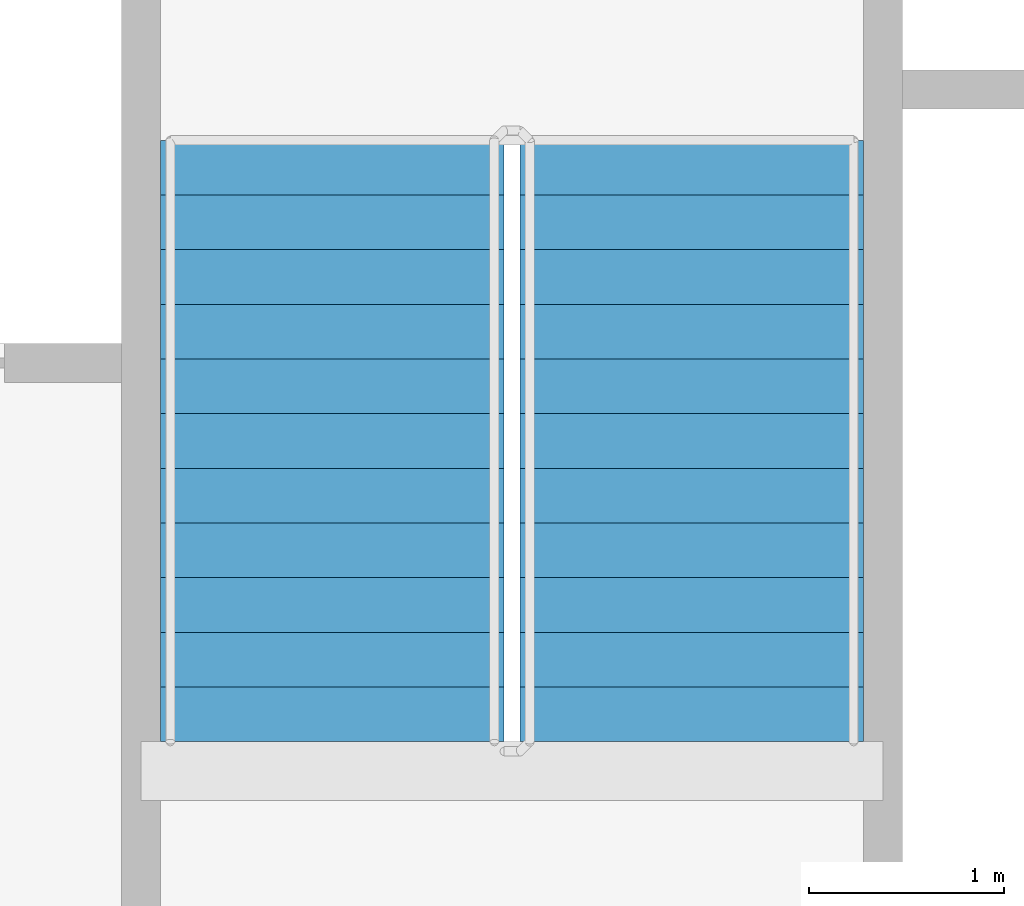
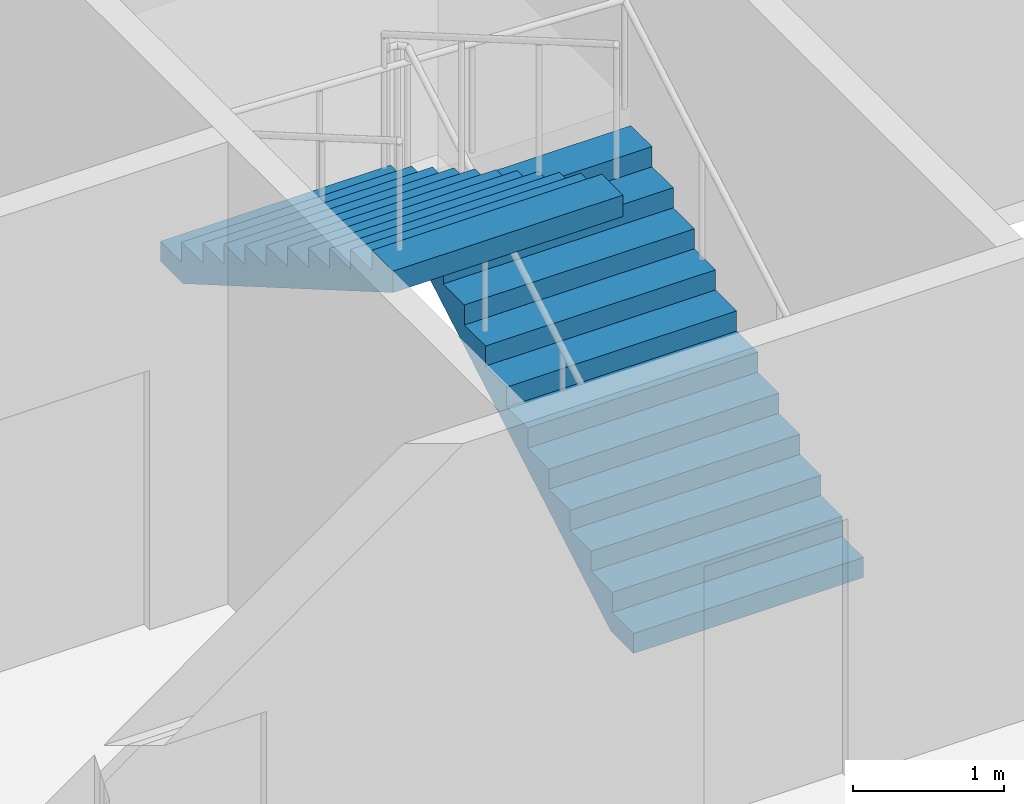
# One storey, part 10 of 15: 2 stair flights, 1 element without a shape of its own.
"""IFC4 building model written with IfcOpenShell, lengths in metres."""

from ifc_helpers import new_model, si_unit, direction, frame, origin, place, context, subcontext, project, spatial, faceted_brep, material, type_object, element, aggregate, save


model = new_model("IFC4")

# Units and contexts
model_context = context("Model", 3, precision=1e-05, world=origin(), true_north=direction((0.0, 1.0)))
body_context = subcontext(model_context, "Body", "Model", "MODEL_VIEW")
ifc_project = project(units=[si_unit("LENGTHUNIT", "METRE"), si_unit("AREAUNIT", "SQUARE_METRE"), si_unit("VOLUMEUNIT", "CUBIC_METRE"), si_unit("PLANEANGLEUNIT", "RADIAN"), si_unit("MASSUNIT", "GRAM", prefix="KILO")], contexts=[model_context])

# Site, building, storey
site_placement = place(None, origin())
site = spatial("IfcSite", under=ifc_project, at=site_placement, CompositionType="ELEMENT")
building_placement = place(site_placement, origin())
building = spatial("IfcBuilding", under=site, at=building_placement, Name="Tarsis Ring Headquarters", CompositionType="ELEMENT")
storey_placement = place(building_placement, frame((0.0, 0.0, 290.300048828125)))
storey = spatial("IfcBuildingStorey", under=building, at=storey_placement, Name="L68", CompositionType="ELEMENT", Elevation=290.300048828125)

# Stair, stair flights
ifc_material_1 = material(Name="Core stair 1760")
stair_type = type_object("IfcStairType", Name="Core stair 1760", PredefinedType="HALF_TURN_STAIR", material=ifc_material_1)
stair_placement = place(storey_placement, origin())
stair = element("IfcStair", 1, at=stair_placement, inside=storey, type_object=stair_type, Name="L68 Exit stair B", PredefinedType="HALF_TURN_STAIR")
ifc_material_2 = material(Name="Concrete C40/50", Category="concrete")
stair_flight_type = type_object("IfcStairFlightType", Name="Core stair flight 1760", PredefinedType="STRAIGHT", material=ifc_material_2)
stair_flight_1_placement = place(storey_placement, frame((5.419921875, 3.659912109375, 0.0), z_axis=(0.0, 0.0, 1.0), x_axis=(0.0, 1.0, 0.0)))
stair_flight_1 = element("IfcStairFlight", 2, at=stair_flight_1_placement, type_object=stair_flight_type, Name="Stair ST2 flight 1", NumberOfRisers=12, NumberOfTreads=11, PredefinedType="STRAIGHT", RiserHeight=0.1625, TreadLength=0.28, context=body_context, shape_type="Brep", body=[
    faceted_brep([(0.0, 0.8798828125, 0.0), (0.0, 0.8798828125, 0.16259765625), (0.280029296875, 0.8798828125, 0.16259765625), (0.280029296875, 0.8798828125, 0.324951171875), (0.56005859375, 0.8798828125, 0.324951171875), (0.56005859375, 0.8798828125, 0.487548828125), (0.840087890625, 0.8798828125, 0.487548828125), (0.840087890625, 0.8798828125, 0.64990234375), (1.1201171875, 0.8798828125, 0.64990234375), (1.1201171875, 0.8798828125, 0.8125), (1.39990234375, 0.8798828125, 0.8125), (1.39990234375, 0.8798828125, 0.97509765625), (1.679931640625, 0.8798828125, 0.97509765625), (1.679931640625, 0.8798828125, 1.137451171875), (1.9599609375, 0.8798828125, 1.137451171875), (1.9599609375, 0.8798828125, 1.300048828125), (2.239990234375, 0.8798828125, 1.300048828125), (2.239990234375, 0.8798828125, 1.46240234375), (2.52001953125, 0.8798828125, 1.46240234375), (2.52001953125, 0.8798828125, 1.625), (2.800048828125, 0.8798828125, 1.625), (2.800048828125, 0.8798828125, 1.78759765625), (3.080078125, 0.8798828125, 1.78759765625), (3.080078125, 0.8798828125, 1.6142578125), (0.298583984375, 0.8798828125, 0.0), (0.298583984375, -0.8798828125, 0.0), (3.080078125, -0.8798828125, 1.6142578125), (3.080078125, -0.8798828125, 1.78759765625), (2.800048828125, -0.8798828125, 1.78759765625), (2.800048828125, -0.8798828125, 1.625), (2.52001953125, -0.8798828125, 1.625), (2.52001953125, -0.8798828125, 1.46240234375), (2.239990234375, -0.8798828125, 1.46240234375), (2.239990234375, -0.8798828125, 1.300048828125), (1.9599609375, -0.8798828125, 1.300048828125), (1.9599609375, -0.8798828125, 1.137451171875), (1.679931640625, -0.8798828125, 1.137451171875), (1.679931640625, -0.8798828125, 0.97509765625), (1.39990234375, -0.8798828125, 0.97509765625), (1.39990234375, -0.8798828125, 0.8125), (1.1201171875, -0.8798828125, 0.8125), (1.1201171875, -0.8798828125, 0.64990234375), (0.840087890625, -0.8798828125, 0.64990234375), (0.840087890625, -0.8798828125, 0.487548828125), (0.56005859375, -0.8798828125, 0.487548828125), (0.56005859375, -0.8798828125, 0.324951171875), (0.280029296875, -0.8798828125, 0.324951171875), (0.280029296875, -0.8798828125, 0.16259765625), (0.0, -0.8798828125, 0.16259765625), (0.0, -0.8798828125, 0.0), (0.0, -0.43994140625, 0.16259765625), (0.0, -0.43994140625, 0.0), (0.0, 0.0, 0.16259765625), (0.0, 0.0, 0.0), (0.0, 0.43994140625, 0.16259765625), (0.0, 0.43994140625, 0.0), (0.280029296875, -0.43994140625, 0.16259765625), (0.280029296875, 0.0, 0.16259765625), (0.280029296875, 0.43994140625, 0.16259765625), (0.280029296875, -0.43994140625, 0.324951171875), (0.280029296875, 0.0, 0.324951171875), (0.280029296875, 0.43994140625, 0.324951171875), (0.56005859375, -0.43994140625, 0.324951171875), (0.56005859375, 0.0, 0.324951171875), (0.56005859375, 0.43994140625, 0.324951171875), (0.56005859375, -0.43994140625, 0.487548828125), (0.56005859375, 0.0, 0.487548828125), (0.56005859375, 0.43994140625, 0.487548828125), (0.840087890625, -0.43994140625, 0.487548828125), (0.840087890625, 0.0, 0.487548828125), (0.840087890625, 0.43994140625, 0.487548828125), (0.840087890625, -0.43994140625, 0.64990234375), (0.840087890625, 0.0, 0.64990234375), (0.840087890625, 0.43994140625, 0.64990234375), (1.1201171875, -0.43994140625, 0.64990234375), (1.1201171875, 0.0, 0.64990234375), (1.1201171875, 0.43994140625, 0.64990234375), (1.1201171875, -0.43994140625, 0.8125), (1.1201171875, 0.0, 0.8125), (1.1201171875, 0.43994140625, 0.8125), (1.39990234375, -0.43994140625, 0.8125), (1.39990234375, 0.0, 0.8125), (1.39990234375, 0.43994140625, 0.8125), (1.39990234375, -0.43994140625, 0.97509765625), (1.39990234375, 0.0, 0.97509765625), (1.39990234375, 0.43994140625, 0.97509765625), (1.679931640625, -0.43994140625, 0.97509765625), (1.679931640625, 0.0, 0.97509765625), (1.679931640625, 0.43994140625, 0.97509765625), (1.679931640625, -0.43994140625, 1.137451171875), (1.679931640625, 0.0, 1.137451171875), (1.679931640625, 0.43994140625, 1.137451171875), (1.9599609375, -0.43994140625, 1.137451171875), (1.9599609375, 0.0, 1.137451171875), (1.9599609375, 0.43994140625, 1.137451171875), (1.9599609375, -0.43994140625, 1.300048828125), (1.9599609375, 0.0, 1.300048828125), (1.9599609375, 0.43994140625, 1.300048828125), (2.239990234375, -0.43994140625, 1.300048828125), (2.239990234375, 0.0, 1.300048828125), (2.239990234375, 0.43994140625, 1.300048828125), (2.239990234375, -0.43994140625, 1.46240234375), (2.239990234375, 0.0, 1.46240234375), (2.239990234375, 0.43994140625, 1.46240234375), (2.52001953125, -0.43994140625, 1.46240234375), (2.52001953125, 0.0, 1.46240234375), (2.52001953125, 0.43994140625, 1.46240234375), (2.52001953125, -0.43994140625, 1.625), (2.52001953125, 0.0, 1.625), (2.52001953125, 0.43994140625, 1.625), (2.800048828125, -0.43994140625, 1.625), (2.800048828125, 0.0, 1.625), (2.800048828125, 0.43994140625, 1.625), (2.800048828125, -0.43994140625, 1.78759765625), (2.800048828125, 0.0, 1.78759765625), (2.800048828125, 0.43994140625, 1.78759765625), (3.080078125, -0.43994140625, 1.78759765625), (3.080078125, 0.0, 1.78759765625), (3.080078125, 0.43994140625, 1.78759765625), (3.080078125, -0.43994140625, 1.6142578125), (3.080078125, 0.0, 1.6142578125), (3.080078125, 0.43994140625, 1.6142578125), (0.298583984375, -0.43994140625, 0.0), (0.298583984375, 0.0, 0.0), (0.298583984375, 0.43994140625, 0.0)], [[[0, 1, 2, 3, 4, 5, 6, 7, 8, 9, 10, 11, 12, 13, 14, 15, 16, 17, 18, 19, 20, 21, 22, 23, 24]], [[25, 26, 27, 28, 29, 30, 31, 32, 33, 34, 35, 36, 37, 38, 39, 40, 41, 42, 43, 44, 45, 46, 47, 48, 49]], [[49, 48, 50, 51]], [[51, 50, 52, 53]], [[53, 52, 54, 55]], [[55, 54, 1, 0]], [[48, 47, 56, 50]], [[50, 56, 57, 52]], [[52, 57, 58, 54]], [[54, 58, 2, 1]], [[47, 46, 59, 56]], [[56, 59, 60, 57]], [[57, 60, 61, 58]], [[58, 61, 3, 2]], [[46, 45, 62, 59]], [[59, 62, 63, 60]], [[60, 63, 64, 61]], [[61, 64, 4, 3]], [[45, 44, 65, 62]], [[62, 65, 66, 63]], [[63, 66, 67, 64]], [[64, 67, 5, 4]], [[44, 43, 68, 65]], [[65, 68, 69, 66]], [[66, 69, 70, 67]], [[67, 70, 6, 5]], [[43, 42, 71, 68]], [[68, 71, 72, 69]], [[69, 72, 73, 70]], [[70, 73, 7, 6]], [[42, 41, 74, 71]], [[71, 74, 75, 72]], [[72, 75, 76, 73]], [[73, 76, 8, 7]], [[41, 40, 77, 74]], [[74, 77, 78, 75]], [[75, 78, 79, 76]], [[76, 79, 9, 8]], [[40, 39, 80, 77]], [[77, 80, 81, 78]], [[78, 81, 82, 79]], [[79, 82, 10, 9]], [[39, 38, 83, 80]], [[80, 83, 84, 81]], [[81, 84, 85, 82]], [[82, 85, 11, 10]], [[38, 37, 86, 83]], [[83, 86, 87, 84]], [[84, 87, 88, 85]], [[85, 88, 12, 11]], [[37, 36, 89, 86]], [[86, 89, 90, 87]], [[87, 90, 91, 88]], [[88, 91, 13, 12]], [[36, 35, 92, 89]], [[89, 92, 93, 90]], [[90, 93, 94, 91]], [[91, 94, 14, 13]], [[35, 34, 95, 92]], [[92, 95, 96, 93]], [[93, 96, 97, 94]], [[94, 97, 15, 14]], [[34, 33, 98, 95]], [[95, 98, 99, 96]], [[96, 99, 100, 97]], [[97, 100, 16, 15]], [[33, 32, 101, 98]], [[98, 101, 102, 99]], [[99, 102, 103, 100]], [[100, 103, 17, 16]], [[32, 31, 104, 101]], [[101, 104, 105, 102]], [[102, 105, 106, 103]], [[103, 106, 18, 17]], [[31, 30, 107, 104]], [[104, 107, 108, 105]], [[105, 108, 109, 106]], [[106, 109, 19, 18]], [[30, 29, 110, 107]], [[107, 110, 111, 108]], [[108, 111, 112, 109]], [[109, 112, 20, 19]], [[29, 28, 113, 110]], [[110, 113, 114, 111]], [[111, 114, 115, 112]], [[112, 115, 21, 20]], [[28, 27, 116, 113]], [[113, 116, 117, 114]], [[114, 117, 118, 115]], [[115, 118, 22, 21]], [[27, 26, 119, 116]], [[116, 119, 120, 117]], [[117, 120, 121, 118]], [[118, 121, 23, 22]], [[26, 25, 122, 119]], [[119, 122, 123, 120]], [[120, 123, 124, 121]], [[121, 124, 24, 23]], [[25, 49, 51, 122]], [[122, 51, 53, 123]], [[123, 53, 55, 124]], [[124, 55, 0, 24]]]),
])
stair_flight_2_placement = place(storey_placement, frame((3.580078125, 6.739990234375, 1.949951171875), z_axis=(0.0, 0.0, 1.0), x_axis=(0.0, -1.0, 0.0)))
stair_flight_2 = element("IfcStairFlight", 3, at=stair_flight_2_placement, type_object=stair_flight_type, Name="Stair ST2 flight 2", NumberOfRisers=12, NumberOfTreads=11, PredefinedType="STRAIGHT", RiserHeight=0.1625, TreadLength=0.28, context=body_context, shape_type="Brep", body=[
    faceted_brep([(0.0, 0.8798828125, 0.0), (0.0, 0.8798828125, 0.16259765625), (0.280029296875, 0.8798828125, 0.16259765625), (0.280029296875, 0.8798828125, 0.324951171875), (0.56005859375, 0.8798828125, 0.324951171875), (0.56005859375, 0.8798828125, 0.487548828125), (0.840087890625, 0.8798828125, 0.487548828125), (0.840087890625, 0.8798828125, 0.64990234375), (1.1201171875, 0.8798828125, 0.64990234375), (1.1201171875, 0.8798828125, 0.8125), (1.39990234375, 0.8798828125, 0.8125), (1.39990234375, 0.8798828125, 0.97509765625), (1.679931640625, 0.8798828125, 0.97509765625), (1.679931640625, 0.8798828125, 1.137451171875), (1.9599609375, 0.8798828125, 1.137451171875), (1.9599609375, 0.8798828125, 1.300048828125), (2.239990234375, 0.8798828125, 1.300048828125), (2.239990234375, 0.8798828125, 1.46240234375), (2.52001953125, 0.8798828125, 1.46240234375), (2.52001953125, 0.8798828125, 1.625), (2.800048828125, 0.8798828125, 1.625), (2.800048828125, 0.8798828125, 1.78759765625), (3.080078125, 0.8798828125, 1.78759765625), (3.080078125, 0.8798828125, 1.6142578125), (0.298583984375, 0.8798828125, 0.0), (0.298583984375, -0.8798828125, 0.0), (3.080078125, -0.8798828125, 1.6142578125), (3.080078125, -0.8798828125, 1.78759765625), (2.800048828125, -0.8798828125, 1.78759765625), (2.800048828125, -0.8798828125, 1.625), (2.52001953125, -0.8798828125, 1.625), (2.52001953125, -0.8798828125, 1.46240234375), (2.239990234375, -0.8798828125, 1.46240234375), (2.239990234375, -0.8798828125, 1.300048828125), (1.9599609375, -0.8798828125, 1.300048828125), (1.9599609375, -0.8798828125, 1.137451171875), (1.679931640625, -0.8798828125, 1.137451171875), (1.679931640625, -0.8798828125, 0.97509765625), (1.39990234375, -0.8798828125, 0.97509765625), (1.39990234375, -0.8798828125, 0.8125), (1.1201171875, -0.8798828125, 0.8125), (1.1201171875, -0.8798828125, 0.64990234375), (0.840087890625, -0.8798828125, 0.64990234375), (0.840087890625, -0.8798828125, 0.487548828125), (0.56005859375, -0.8798828125, 0.487548828125), (0.56005859375, -0.8798828125, 0.324951171875), (0.280029296875, -0.8798828125, 0.324951171875), (0.280029296875, -0.8798828125, 0.16259765625), (0.0, -0.8798828125, 0.16259765625), (0.0, -0.8798828125, 0.0), (0.0, -0.43994140625, 0.16259765625), (0.0, -0.43994140625, 0.0), (0.0, 0.0, 0.16259765625), (0.0, 0.0, 0.0), (0.0, 0.43994140625, 0.16259765625), (0.0, 0.43994140625, 0.0), (0.280029296875, -0.43994140625, 0.16259765625), (0.280029296875, 0.0, 0.16259765625), (0.280029296875, 0.43994140625, 0.16259765625), (0.280029296875, -0.43994140625, 0.324951171875), (0.280029296875, 0.0, 0.324951171875), (0.280029296875, 0.43994140625, 0.324951171875), (0.56005859375, -0.43994140625, 0.324951171875), (0.56005859375, 0.0, 0.324951171875), (0.56005859375, 0.43994140625, 0.324951171875), (0.56005859375, -0.43994140625, 0.487548828125), (0.56005859375, 0.0, 0.487548828125), (0.56005859375, 0.43994140625, 0.487548828125), (0.840087890625, -0.43994140625, 0.487548828125), (0.840087890625, 0.0, 0.487548828125), (0.840087890625, 0.43994140625, 0.487548828125), (0.840087890625, -0.43994140625, 0.64990234375), (0.840087890625, 0.0, 0.64990234375), (0.840087890625, 0.43994140625, 0.64990234375), (1.1201171875, -0.43994140625, 0.64990234375), (1.1201171875, 0.0, 0.64990234375), (1.1201171875, 0.43994140625, 0.64990234375), (1.1201171875, -0.43994140625, 0.8125), (1.1201171875, 0.0, 0.8125), (1.1201171875, 0.43994140625, 0.8125), (1.39990234375, -0.43994140625, 0.8125), (1.39990234375, 0.0, 0.8125), (1.39990234375, 0.43994140625, 0.8125), (1.39990234375, -0.43994140625, 0.97509765625), (1.39990234375, 0.0, 0.97509765625), (1.39990234375, 0.43994140625, 0.97509765625), (1.679931640625, -0.43994140625, 0.97509765625), (1.679931640625, 0.0, 0.97509765625), (1.679931640625, 0.43994140625, 0.97509765625), (1.679931640625, -0.43994140625, 1.137451171875), (1.679931640625, 0.0, 1.137451171875), (1.679931640625, 0.43994140625, 1.137451171875), (1.9599609375, -0.43994140625, 1.137451171875), (1.9599609375, 0.0, 1.137451171875), (1.9599609375, 0.43994140625, 1.137451171875), (1.9599609375, -0.43994140625, 1.300048828125), (1.9599609375, 0.0, 1.300048828125), (1.9599609375, 0.43994140625, 1.300048828125), (2.239990234375, -0.43994140625, 1.300048828125), (2.239990234375, 0.0, 1.300048828125), (2.239990234375, 0.43994140625, 1.300048828125), (2.239990234375, -0.43994140625, 1.46240234375), (2.239990234375, 0.0, 1.46240234375), (2.239990234375, 0.43994140625, 1.46240234375), (2.52001953125, -0.43994140625, 1.46240234375), (2.52001953125, 0.0, 1.46240234375), (2.52001953125, 0.43994140625, 1.46240234375), (2.52001953125, -0.43994140625, 1.625), (2.52001953125, 0.0, 1.625), (2.52001953125, 0.43994140625, 1.625), (2.800048828125, -0.43994140625, 1.625), (2.800048828125, 0.0, 1.625), (2.800048828125, 0.43994140625, 1.625), (2.800048828125, -0.43994140625, 1.78759765625), (2.800048828125, 0.0, 1.78759765625), (2.800048828125, 0.43994140625, 1.78759765625), (3.080078125, -0.43994140625, 1.78759765625), (3.080078125, 0.0, 1.78759765625), (3.080078125, 0.43994140625, 1.78759765625), (3.080078125, -0.43994140625, 1.6142578125), (3.080078125, 0.0, 1.6142578125), (3.080078125, 0.43994140625, 1.6142578125), (0.298583984375, -0.43994140625, 0.0), (0.298583984375, 0.0, 0.0), (0.298583984375, 0.43994140625, 0.0)], [[[0, 1, 2, 3, 4, 5, 6, 7, 8, 9, 10, 11, 12, 13, 14, 15, 16, 17, 18, 19, 20, 21, 22, 23, 24]], [[25, 26, 27, 28, 29, 30, 31, 32, 33, 34, 35, 36, 37, 38, 39, 40, 41, 42, 43, 44, 45, 46, 47, 48, 49]], [[49, 48, 50, 51]], [[51, 50, 52, 53]], [[53, 52, 54, 55]], [[55, 54, 1, 0]], [[48, 47, 56, 50]], [[50, 56, 57, 52]], [[52, 57, 58, 54]], [[54, 58, 2, 1]], [[47, 46, 59, 56]], [[56, 59, 60, 57]], [[57, 60, 61, 58]], [[58, 61, 3, 2]], [[46, 45, 62, 59]], [[59, 62, 63, 60]], [[60, 63, 64, 61]], [[61, 64, 4, 3]], [[45, 44, 65, 62]], [[62, 65, 66, 63]], [[63, 66, 67, 64]], [[64, 67, 5, 4]], [[44, 43, 68, 65]], [[65, 68, 69, 66]], [[66, 69, 70, 67]], [[67, 70, 6, 5]], [[43, 42, 71, 68]], [[68, 71, 72, 69]], [[69, 72, 73, 70]], [[70, 73, 7, 6]], [[42, 41, 74, 71]], [[71, 74, 75, 72]], [[72, 75, 76, 73]], [[73, 76, 8, 7]], [[41, 40, 77, 74]], [[74, 77, 78, 75]], [[75, 78, 79, 76]], [[76, 79, 9, 8]], [[40, 39, 80, 77]], [[77, 80, 81, 78]], [[78, 81, 82, 79]], [[79, 82, 10, 9]], [[39, 38, 83, 80]], [[80, 83, 84, 81]], [[81, 84, 85, 82]], [[82, 85, 11, 10]], [[38, 37, 86, 83]], [[83, 86, 87, 84]], [[84, 87, 88, 85]], [[85, 88, 12, 11]], [[37, 36, 89, 86]], [[86, 89, 90, 87]], [[87, 90, 91, 88]], [[88, 91, 13, 12]], [[36, 35, 92, 89]], [[89, 92, 93, 90]], [[90, 93, 94, 91]], [[91, 94, 14, 13]], [[35, 34, 95, 92]], [[92, 95, 96, 93]], [[93, 96, 97, 94]], [[94, 97, 15, 14]], [[34, 33, 98, 95]], [[95, 98, 99, 96]], [[96, 99, 100, 97]], [[97, 100, 16, 15]], [[33, 32, 101, 98]], [[98, 101, 102, 99]], [[99, 102, 103, 100]], [[100, 103, 17, 16]], [[32, 31, 104, 101]], [[101, 104, 105, 102]], [[102, 105, 106, 103]], [[103, 106, 18, 17]], [[31, 30, 107, 104]], [[104, 107, 108, 105]], [[105, 108, 109, 106]], [[106, 109, 19, 18]], [[30, 29, 110, 107]], [[107, 110, 111, 108]], [[108, 111, 112, 109]], [[109, 112, 20, 19]], [[29, 28, 113, 110]], [[110, 113, 114, 111]], [[111, 114, 115, 112]], [[112, 115, 21, 20]], [[28, 27, 116, 113]], [[113, 116, 117, 114]], [[114, 117, 118, 115]], [[115, 118, 22, 21]], [[27, 26, 119, 116]], [[116, 119, 120, 117]], [[117, 120, 121, 118]], [[118, 121, 23, 22]], [[26, 25, 122, 119]], [[119, 122, 123, 120]], [[120, 123, 124, 121]], [[121, 124, 24, 23]], [[25, 49, 51, 122]], [[122, 51, 53, 123]], [[123, 53, 55, 124]], [[124, 55, 0, 24]]]),
])
aggregate(stair, [stair_flight_1, stair_flight_2])

save(model, "model.ifc")
